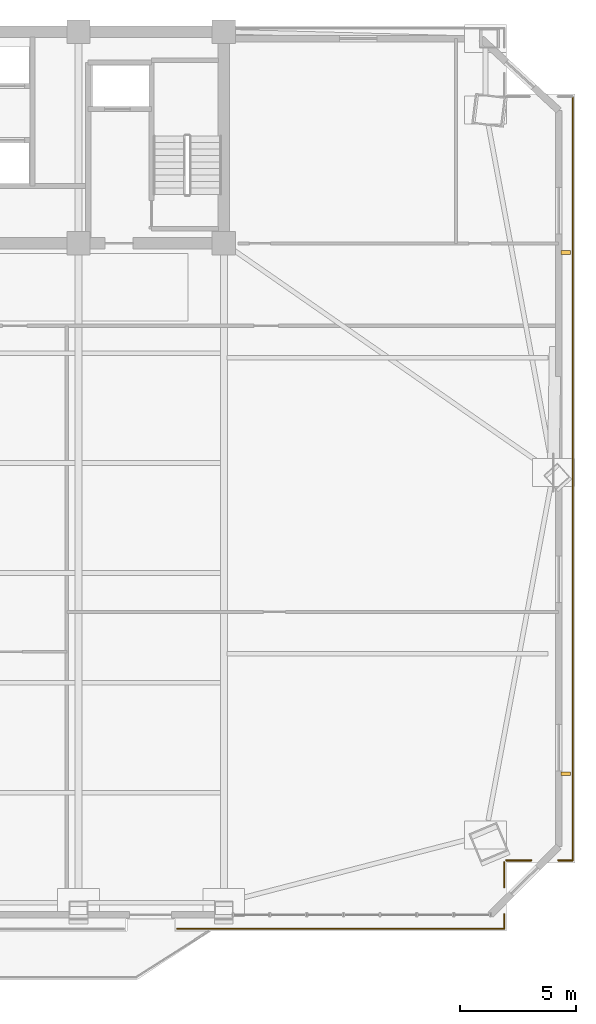
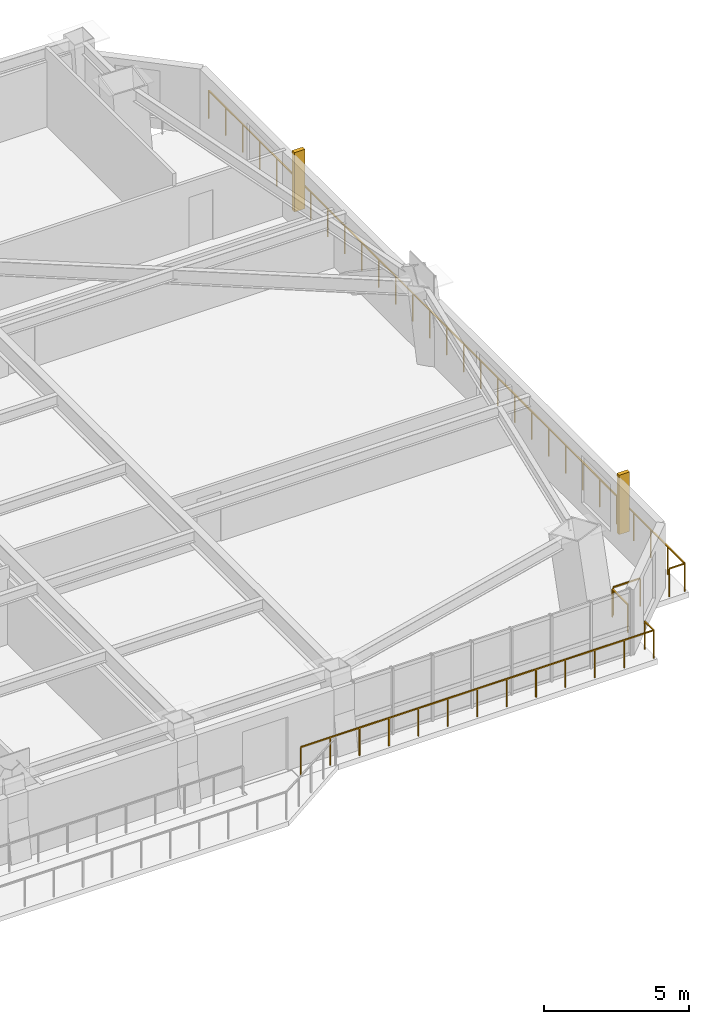
# One storey, part 13 of 15: 6 railings, 2 shading devices.
"""IFC4 building model written with IfcOpenShell, lengths in metres."""

from ifc_helpers import new_model, si_unit, direction, frame, origin, origin_2d, place, context, subcontext, project, spatial, rectangle, extrude, source, transform, mapped, material, type_object, element, save


model = new_model("IFC4")

# Units and contexts
model_context = context("Model", 3, precision=1e-05, world=origin(), true_north=direction((0.0, 1.0)))
body_context = subcontext(model_context, "Body", "Model", "MODEL_VIEW")
ifc_project = project(units=[si_unit("LENGTHUNIT", "METRE"), si_unit("AREAUNIT", "SQUARE_METRE"), si_unit("VOLUMEUNIT", "CUBIC_METRE"), si_unit("PLANEANGLEUNIT", "RADIAN"), si_unit("MASSUNIT", "GRAM", prefix="KILO")], contexts=[model_context])

# Site, building, storey
site_placement = place(None, origin())
site = spatial("IfcSite", under=ifc_project, at=site_placement, CompositionType="ELEMENT")
building_placement = place(site_placement, origin())
building = spatial("IfcBuilding", under=site, at=building_placement, Name="Giltprow Tower", CompositionType="ELEMENT")
storey_placement = place(building_placement, frame((0.0, 0.0, 156.199951171875)))
storey = spatial("IfcBuildingStorey", under=building, at=storey_placement, Name="L38", CompositionType="ELEMENT", Elevation=156.199951171875)

# Railings
ifc_material = material(Name="Anodized bronze", Category="metal")
railing_type = type_object("IfcRailingType", Name="RAIL-BALC-GUARD-1200", PredefinedType="BALUSTRADE", material=ifc_material)
railing_1_placement = place(storey_placement, frame((65.551025390625, 43.760986328125, 0.0)))
element("IfcRailing", 1, at=railing_1_placement, inside=storey, type_object=railing_type, Name="L38 Corner Apron Edge Balustrade 18", PredefinedType="BALUSTRADE", context=body_context, shape_type="SweptSolid", body=[
    extrude(rectangle(XDim=0.048095703125, YDim=0.048095703125, at=origin_2d()), frame((0.0, 0.0, 1.17578125), z_axis=(0.0, -1.0, 0.0), x_axis=(1.0, 0.0, 0.0)), (0.0, 0.0, 1.0), 32.85009765625),
    extrude(rectangle(XDim=0.0419921875, YDim=0.0419921875, at=origin_2d()), origin(), (0.0, 0.0, 1.0), 1.15185546875),
    extrude(rectangle(XDim=0.0419921875, YDim=0.0419921875, at=origin_2d()), frame((0.0, -1.17333984375, 0.0)), (0.0, 0.0, 1.0), 1.15185546875),
    extrude(rectangle(XDim=0.0419921875, YDim=0.0419921875, at=origin_2d()), frame((0.0, -2.346435546875, 0.0)), (0.0, 0.0, 1.0), 1.15185546875),
    extrude(rectangle(XDim=0.0419921875, YDim=0.0419921875, at=origin_2d()), frame((0.0, -3.51953125, 0.0)), (0.0, 0.0, 1.0), 1.15185546875),
    extrude(rectangle(XDim=0.0419921875, YDim=0.0419921875, at=origin_2d()), frame((0.0, -4.69287109375, 0.0)), (0.0, 0.0, 1.0), 1.15185546875),
    extrude(rectangle(XDim=0.0419921875, YDim=0.0419921875, at=origin_2d()), frame((0.0, -5.8662109375, 0.0)), (0.0, 0.0, 1.0), 1.15185546875),
    extrude(rectangle(XDim=0.0419921875, YDim=0.0419921875, at=origin_2d()), frame((0.0, -7.039306640625, 0.0)), (0.0, 0.0, 1.0), 1.15185546875),
    extrude(rectangle(XDim=0.0419921875, YDim=0.0419921875, at=origin_2d()), frame((0.0, -8.21240234375, 0.0)), (0.0, 0.0, 1.0), 1.15185546875),
    extrude(rectangle(XDim=0.0419921875, YDim=0.0419921875, at=origin_2d()), frame((0.0, -9.3857421875, 0.0)), (0.0, 0.0, 1.0), 1.15185546875),
    extrude(rectangle(XDim=0.0419921875, YDim=0.0419921875, at=origin_2d()), frame((0.0, -10.55908203125, 0.0)), (0.0, 0.0, 1.0), 1.15185546875),
    extrude(rectangle(XDim=0.0419921875, YDim=0.0419921875, at=origin_2d()), frame((0.0, -11.732177734375, 0.0)), (0.0, 0.0, 1.0), 1.15185546875),
    extrude(rectangle(XDim=0.0419921875, YDim=0.0419921875, at=origin_2d()), frame((0.0, -12.9052734375, 0.0)), (0.0, 0.0, 1.0), 1.15185546875),
    extrude(rectangle(XDim=0.0419921875, YDim=0.0419921875, at=origin_2d()), frame((0.0, -14.07861328125, 0.0)), (0.0, 0.0, 1.0), 1.15185546875),
    extrude(rectangle(XDim=0.0419921875, YDim=0.0419921875, at=origin_2d()), frame((0.0, -15.251953125, 0.0)), (0.0, 0.0, 1.0), 1.15185546875),
    extrude(rectangle(XDim=0.0419921875, YDim=0.0419921875, at=origin_2d()), frame((0.0, -16.425048828125, 0.0)), (0.0, 0.0, 1.0), 1.15185546875),
    extrude(rectangle(XDim=0.0419921875, YDim=0.0419921875, at=origin_2d()), frame((0.0, -17.59814453125, 0.0)), (0.0, 0.0, 1.0), 1.15185546875),
    extrude(rectangle(XDim=0.0419921875, YDim=0.0419921875, at=origin_2d()), frame((0.0, -18.771484375, 0.0)), (0.0, 0.0, 1.0), 1.15185546875),
    extrude(rectangle(XDim=0.0419921875, YDim=0.0419921875, at=origin_2d()), frame((0.0, -19.94482421875, 0.0)), (0.0, 0.0, 1.0), 1.15185546875),
    extrude(rectangle(XDim=0.0419921875, YDim=0.0419921875, at=origin_2d()), frame((0.0, -21.117919921875, 0.0)), (0.0, 0.0, 1.0), 1.15185546875),
    extrude(rectangle(XDim=0.0419921875, YDim=0.0419921875, at=origin_2d()), frame((0.0, -22.291015625, 0.0)), (0.0, 0.0, 1.0), 1.15185546875),
    extrude(rectangle(XDim=0.0419921875, YDim=0.0419921875, at=origin_2d()), frame((0.0, -23.46435546875, 0.0)), (0.0, 0.0, 1.0), 1.15185546875),
    extrude(rectangle(XDim=0.0419921875, YDim=0.0419921875, at=origin_2d()), frame((0.0, -24.6376953125, 0.0)), (0.0, 0.0, 1.0), 1.15185546875),
    extrude(rectangle(XDim=0.0419921875, YDim=0.0419921875, at=origin_2d()), frame((0.0, -25.810791015625, 0.0)), (0.0, 0.0, 1.0), 1.15185546875),
    extrude(rectangle(XDim=0.0419921875, YDim=0.0419921875, at=origin_2d()), frame((0.0, -26.98388671875, 0.0)), (0.0, 0.0, 1.0), 1.15185546875),
    extrude(rectangle(XDim=0.0419921875, YDim=0.0419921875, at=origin_2d()), frame((0.0, -28.1572265625, 0.0)), (0.0, 0.0, 1.0), 1.15185546875),
    extrude(rectangle(XDim=0.0419921875, YDim=0.0419921875, at=origin_2d()), frame((0.0, -29.33056640625, 0.0)), (0.0, 0.0, 1.0), 1.15185546875),
    extrude(rectangle(XDim=0.0419921875, YDim=0.0419921875, at=origin_2d()), frame((0.0, -30.503662109375, 0.0)), (0.0, 0.0, 1.0), 1.15185546875),
    extrude(rectangle(XDim=0.0419921875, YDim=0.0419921875, at=origin_2d()), frame((0.0, -31.6767578125, 0.0)), (0.0, 0.0, 1.0), 1.15185546875),
    extrude(rectangle(XDim=0.0419921875, YDim=0.0419921875, at=origin_2d()), frame((0.0, -32.85009765625, 0.0)), (0.0, 0.0, 1.0), 1.15185546875),
])
railing_2_placement = place(storey_placement, frame((65.551025390625, 10.910888671875, 0.0)))
element("IfcRailing", 2, at=railing_2_placement, inside=storey, type_object=railing_type, Name="L38 Corner Apron Edge Balustrade 19", PredefinedType="BALUSTRADE", context=body_context, shape_type="SweptSolid", body=[
    extrude(rectangle(XDim=0.048095703125, YDim=0.048095703125, at=origin_2d()), frame((0.0, 0.0, 1.17578125), z_axis=(-1.0, 0.0, 0.0), x_axis=(0.0, -1.0, 0.0)), (0.0, 0.0, 1.0), 0.6201171875),
    extrude(rectangle(XDim=0.0419921875, YDim=0.0419921875, at=origin_2d()), origin(), (0.0, 0.0, 1.0), 1.15185546875),
    extrude(rectangle(XDim=0.0419921875, YDim=0.0419921875, at=origin_2d()), frame((-0.6201171875, 0.0, 0.0)), (0.0, 0.0, 1.0), 1.15185546875),
])
railing_3_placement = place(storey_placement, frame((63.77099609375, 10.910888671875, 0.0)))
element("IfcRailing", 3, at=railing_3_placement, inside=storey, type_object=railing_type, Name="L38 Corner Apron Edge Balustrade 20", PredefinedType="BALUSTRADE", context=body_context, shape_type="SweptSolid", body=[
    extrude(rectangle(XDim=0.048095703125, YDim=0.048095703125, at=origin_2d()), frame((0.0, 0.0, 1.17578125), z_axis=(-1.0, 0.0, 0.0), x_axis=(0.0, -1.0, 0.0)), (0.0, 0.0, 1.0), 1.073974609375),
    extrude(rectangle(XDim=0.0419921875, YDim=0.0419921875, at=origin_2d()), origin(), (0.0, 0.0, 1.0), 1.15185546875),
    extrude(rectangle(XDim=0.0419921875, YDim=0.0419921875, at=origin_2d()), frame((-1.073974609375, 0.0, 0.0)), (0.0, 0.0, 1.0), 1.15185546875),
])
railing_4_placement = place(storey_placement, frame((62.612060546875, 10.825927734375, 0.0)))
element("IfcRailing", 4, at=railing_4_placement, inside=storey, type_object=railing_type, Name="L38 Corner Apron Edge Balustrade 21", PredefinedType="BALUSTRADE", context=body_context, shape_type="SweptSolid", body=[
    extrude(rectangle(XDim=0.048095703125, YDim=0.048095703125, at=origin_2d()), frame((0.0, 0.0, 1.17578125), z_axis=(0.0, -1.0, 0.0), x_axis=(1.0, 0.0, 0.0)), (0.0, 0.0, 1.0), 1.073974609375),
    extrude(rectangle(XDim=0.0419921875, YDim=0.0419921875, at=origin_2d()), origin(), (0.0, 0.0, 1.0), 1.15185546875),
    extrude(rectangle(XDim=0.0419921875, YDim=0.0419921875, at=origin_2d()), frame((0.0, -1.073974609375, 0.0)), (0.0, 0.0, 1.0), 1.15185546875),
])
railing_5_placement = place(storey_placement, frame((62.612060546875, 8.592041015625, 0.0)))
element("IfcRailing", 5, at=railing_5_placement, inside=storey, type_object=railing_type, Name="L38 Corner Apron Edge Balustrade 22", PredefinedType="BALUSTRADE", context=body_context, shape_type="SweptSolid", body=[
    extrude(rectangle(XDim=0.048095703125, YDim=0.048095703125, at=origin_2d()), frame((0.0, 0.0, 1.17578125), z_axis=(0.0, -1.0, 0.0), x_axis=(1.0, 0.0, 0.0)), (0.0, 0.0, 1.0), 0.6201171875),
    extrude(rectangle(XDim=0.0419921875, YDim=0.0419921875, at=origin_2d()), origin(), (0.0, 0.0, 1.0), 1.15185546875),
    extrude(rectangle(XDim=0.0419921875, YDim=0.0419921875, at=origin_2d()), frame((0.0, -0.6201171875, 0.0)), (0.0, 0.0, 1.0), 1.15185546875),
])
railing_6_placement = place(storey_placement, frame((62.612060546875, 7.971923828125, 0.0)))
element("IfcRailing", 6, at=railing_6_placement, inside=storey, type_object=railing_type, Name="L38 Corner Apron Edge Balustrade 23", PredefinedType="BALUSTRADE", context=body_context, shape_type="SweptSolid", body=[
    extrude(rectangle(XDim=0.048095703125, YDim=0.048095703125, at=origin_2d()), frame((0.0, 0.0, 1.17578125), z_axis=(-1.0, 0.0, 0.0), x_axis=(0.0, -1.0, 0.0)), (0.0, 0.0, 1.0), 14.06201171875),
    extrude(rectangle(XDim=0.0419921875, YDim=0.0419921875, at=origin_2d()), origin(), (0.0, 0.0, 1.0), 1.15185546875),
    extrude(rectangle(XDim=0.0419921875, YDim=0.0419921875, at=origin_2d()), frame((-1.171875, 0.0, 0.0)), (0.0, 0.0, 1.0), 1.15185546875),
    extrude(rectangle(XDim=0.0419921875, YDim=0.0419921875, at=origin_2d()), frame((-2.34375, 0.0, 0.0)), (0.0, 0.0, 1.0), 1.15185546875),
    extrude(rectangle(XDim=0.0419921875, YDim=0.0419921875, at=origin_2d()), frame((-3.515625, 0.0, 0.0)), (0.0, 0.0, 1.0), 1.15185546875),
    extrude(rectangle(XDim=0.0419921875, YDim=0.0419921875, at=origin_2d()), frame((-4.687255859375, 0.0, 0.0)), (0.0, 0.0, 1.0), 1.15185546875),
    extrude(rectangle(XDim=0.0419921875, YDim=0.0419921875, at=origin_2d()), frame((-5.859130859375, 0.0, 0.0)), (0.0, 0.0, 1.0), 1.15185546875),
    extrude(rectangle(XDim=0.0419921875, YDim=0.0419921875, at=origin_2d()), frame((-7.031005859375, 0.0, 0.0)), (0.0, 0.0, 1.0), 1.15185546875),
    extrude(rectangle(XDim=0.0419921875, YDim=0.0419921875, at=origin_2d()), frame((-8.202880859375, 0.0, 0.0)), (0.0, 0.0, 1.0), 1.15185546875),
    extrude(rectangle(XDim=0.0419921875, YDim=0.0419921875, at=origin_2d()), frame((-9.374755859375, 0.0, 0.0)), (0.0, 0.0, 1.0), 1.15185546875),
    extrude(rectangle(XDim=0.0419921875, YDim=0.0419921875, at=origin_2d()), frame((-10.54638671875, 0.0, 0.0)), (0.0, 0.0, 1.0), 1.15185546875),
    extrude(rectangle(XDim=0.0419921875, YDim=0.0419921875, at=origin_2d()), frame((-11.71826171875, 0.0, 0.0)), (0.0, 0.0, 1.0), 1.15185546875),
    extrude(rectangle(XDim=0.0419921875, YDim=0.0419921875, at=origin_2d()), frame((-12.89013671875, 0.0, 0.0)), (0.0, 0.0, 1.0), 1.15185546875),
    extrude(rectangle(XDim=0.0419921875, YDim=0.0419921875, at=origin_2d()), frame((-14.06201171875, 0.0, 0.0)), (0.0, 0.0, 1.0), 1.15185546875),
])

# Shading devices
shading_device_type = type_object("IfcShadingDeviceType", Name="SHD-FIN-420", PredefinedType="USERDEFINED", material=ifc_material)
shared_shape = source(origin(), body_context, "Body", "SweptSolid", [
    extrude(rectangle(XDim=0.419921875, YDim=0.159912109375, at=origin_2d()), origin(), (0.0, 0.0, 1.0), 2.5),
])
for number, where, z_axis, x_axis, name in (
    (7, (65.2509765625, 14.64208984375, 0.35009765625), (0.0, 0.0, 1.0), (1.0, 0.0, 0.0), "L38 E Bronze Vertical Fin 1-1"),
    (8, (65.2509765625, 37.053955078125, 0.35009765625), (0.0, 0.0, 1.0), (1.0, 0.0, 0.0), "L38 E Bronze Vertical Fin 2-1"),
):
    element("IfcShadingDevice", number, at=place(storey_placement, frame(where, z_axis=z_axis, x_axis=x_axis)), inside=storey, type_object=shading_device_type, Name=name, ObjectType="FIN", PredefinedType="USERDEFINED", context=body_context, shape_type="MappedRepresentation", body=[
        mapped(shared_shape, transform((0.0, 0.0, 0.0), x_axis=(1.0, 0.0, 0.0), y_axis=(0.0, 1.0, 0.0), z_axis=(0.0, 0.0, 1.0), scale=1.0)),
    ])

save(model, "model.ifc")
